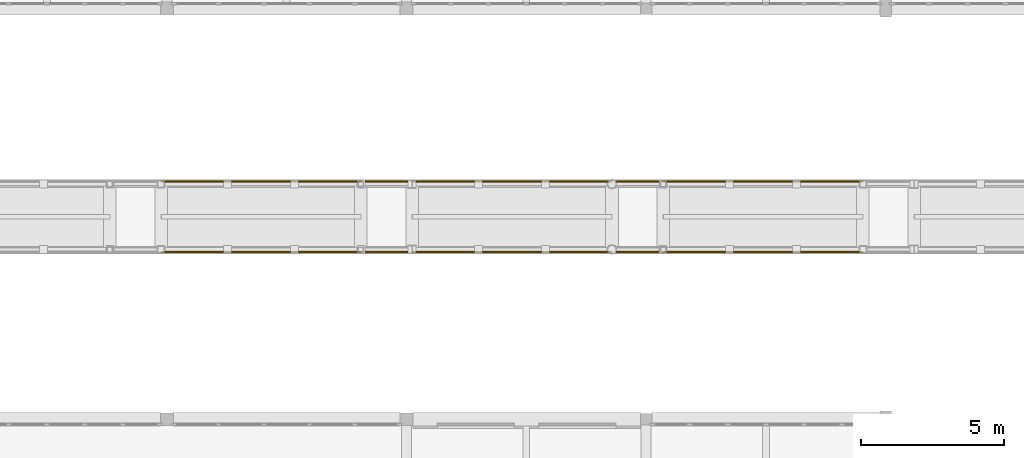
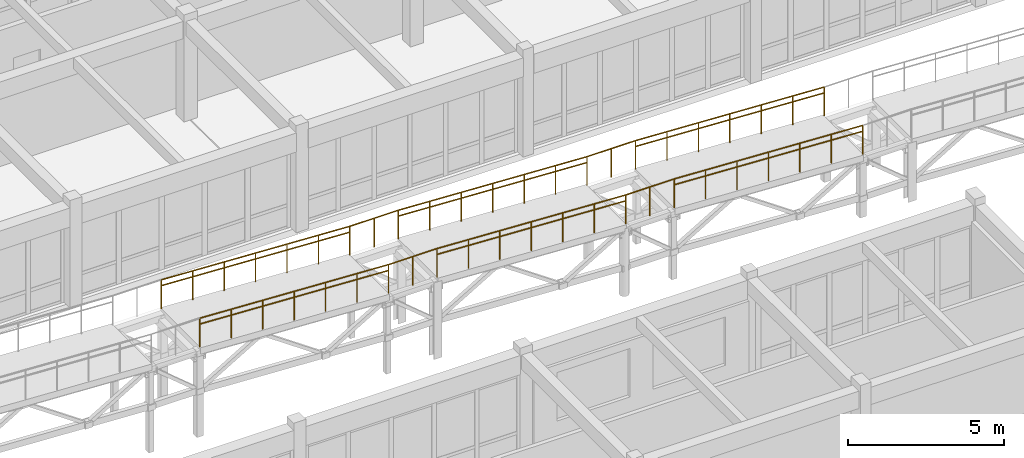
# One storey, part 84 of 89: 16 railings.
"""IFC4 building model written with IfcOpenShell, lengths in metres."""

import ifcopenshell
import ifcopenshell.guid

model = None  # the IFC model being written
_history = None  # IfcOwnerHistory: only IFC2X3 demands one
_inside = {}  # id of a spatial element -> (the spatial element, [elements in it])
_under = {}  # id of a project, library or spatial element -> (it, [spatial elements below it])
_declared = {}  # id of a project -> (the project, [libraries it declares])
_typed = {}  # id of a type object -> (the type object, [elements of that type])
_made_of = {}  # id of a material, layer set ... -> (it, [elements and type objects made of it])


def new_model(schema):
    """Start an empty IFC model of exactly this schema.

    Asked for "IFC4X3", IfcOpenShell would pick the latest addendum, in which some entities
    have other attributes; the version numbers below select the first issue.
    IFC2X3 requires an IfcOwnerHistory on every rooted entity: one is made here for all.
    """
    global model, _history
    if schema == "IFC4X3":
        model = ifcopenshell.file(schema_version=(4, 3, 0, 0))
    else:
        model = ifcopenshell.file(schema=schema)
    _inside.clear()
    _under.clear()
    _declared.clear()
    _typed.clear()
    _made_of.clear()
    _history = None
    if model.schema == "IFC2X3":
        org = make("IfcOrganization", Name="unknown")
        user = make(
            "IfcPersonAndOrganization",
            ThePerson=make("IfcPerson", FamilyName="unknown"),
            TheOrganization=org,
        )
        app = make(
            "IfcApplication",
            ApplicationDeveloper=org,
            Version="unknown",
            ApplicationFullName="unknown",
            ApplicationIdentifier="unknown",
        )
        _history = make(
            "IfcOwnerHistory",
            OwningUser=user,
            OwningApplication=app,
            ChangeAction="ADDED",
            CreationDate=0,
        )
    return model


def make(cls, **values):
    """One entity of the class cls with the attributes given. An attribute that is None is left unset."""
    return model.create_entity(
        cls, **{name: value for name, value in values.items() if value is not None}
    )


def rooted(cls, **values):
    """An entity with a GlobalId (a new one), such as an element, a storey or a relation."""
    return make(cls, GlobalId=ifcopenshell.guid.new(), OwnerHistory=_history, **values)


def si_unit(unit_type, name, prefix=None):
    """IfcSIUnit, for example si_unit("LENGTHUNIT", "METRE", prefix="MILLI")."""
    return make("IfcSIUnit", UnitType=unit_type, Prefix=prefix, Name=name)


def assignment(units):
    """IfcUnitAssignment: the units of a project."""
    return None if units is None else make("IfcUnitAssignment", Units=units)


def point(xyz):
    """IfcCartesianPoint."""
    return None if xyz is None else make("IfcCartesianPoint", Coordinates=xyz)


def direction(xyz):
    """IfcDirection."""
    return None if xyz is None else make("IfcDirection", DirectionRatios=xyz)


def frame(location, z_axis=None, x_axis=None):
    """IfcAxis2Placement3D, a coordinate frame: its origin and axes. An axis left out is left unset."""
    return make(
        "IfcAxis2Placement3D",
        Location=point(location),
        Axis=direction(z_axis),
        RefDirection=direction(x_axis),
    )


def frame_2d(location, x_axis=None):
    """IfcAxis2Placement2D, a coordinate frame in the plane: its origin and x axis."""
    return make(
        "IfcAxis2Placement2D", Location=point(location), RefDirection=direction(x_axis)
    )


def origin():
    """The frame at (0, 0, 0) with its axes left unset."""
    return frame((0.0, 0.0, 0.0))


def origin_2d():
    """The frame at (0, 0) in the plane with its x axis left unset."""
    return frame_2d((0.0, 0.0))


def place(relative_to, where):
    """IfcLocalPlacement: puts the frame where relative to a parent placement (None: the world)."""
    return make(
        "IfcLocalPlacement", PlacementRelTo=relative_to, RelativePlacement=where
    )


def context(
    kind, dimensions, precision=None, world=None, true_north=None, identifier=None
):
    """IfcGeometricRepresentationContext, for example the 3D "Model" context."""
    return make(
        "IfcGeometricRepresentationContext",
        ContextIdentifier=identifier,
        ContextType=kind,
        CoordinateSpaceDimension=dimensions,
        Precision=precision,
        WorldCoordinateSystem=world,
        TrueNorth=true_north,
    )


def subcontext(parent, identifier, kind, view, scale=None):
    """IfcGeometricRepresentationSubContext, for example "Body" below "Model"."""
    return make(
        "IfcGeometricRepresentationSubContext",
        ContextIdentifier=identifier,
        ContextType=kind,
        ParentContext=parent,
        TargetScale=scale,
        TargetView=view,
    )


def project(units=None, contexts=None):
    """IfcProject with its units and contexts."""
    return rooted(
        "IfcProject",
        Name="project",
        RepresentationContexts=contexts,
        UnitsInContext=assignment(units),
    )


def spatial(cls, under=None, at=None, **own):
    """A site, building, storey or space (cls), placed at a placement, below another one or the project."""
    s = rooted(cls, ObjectPlacement=at, **own)
    if under is not None:
        _under.setdefault(under.id(), (under, []))[1].append(s)
    return s


def profile(cls, at=None, kind="AREA", **sizes):
    """A parametric profile (cls). Its sizes go by their IFC names, for example OverallWidth=200.0."""
    return make(cls, ProfileType=kind, Position=at, **sizes)


def circle(**sizes):
    """IfcCircleProfileDef."""
    return profile("IfcCircleProfileDef", **sizes)


def extrude(swept, where, along, depth):
    """IfcExtrudedAreaSolid: the profile swept, set in the frame where, extruded along a direction by depth."""
    return make(
        "IfcExtrudedAreaSolid",
        SweptArea=swept,
        Position=where,
        ExtrudedDirection=direction(along),
        Depth=depth,
    )


def shape(context_of_items, identifier, shape_type, items):
    """IfcShapeRepresentation: the items that make up one representation, for example the "Body"."""
    return make(
        "IfcShapeRepresentation",
        ContextOfItems=context_of_items,
        RepresentationIdentifier=identifier,
        RepresentationType=shape_type,
        Items=items,
    )


def material(Name=None, Category=None):
    """IfcMaterial."""
    return make("IfcMaterial", Name=Name, Category=Category)


def layer(
    of_material, thickness, ventilated=None, Name=None, Category=None, Priority=None
):
    """IfcMaterialLayer: one layer of a wall or slab, of a material (None: an air gap)."""
    return make(
        "IfcMaterialLayer",
        Material=of_material,
        LayerThickness=thickness,
        IsVentilated=ventilated,
        Name=Name,
        Category=Category,
        Priority=Priority,
    )


def layer_set(layers, Name=None):
    """IfcMaterialLayerSet."""
    return make("IfcMaterialLayerSet", MaterialLayers=layers, LayerSetName=Name)


def made_of(thing, what):
    """Note that an element or type object is made of a material, layer set ...; save() writes the relation."""
    if what is not None:
        _made_of.setdefault(what.id(), (what, []))[1].append(thing)
    return thing


def type_object(cls, material=None, **own):
    """A type object (cls), such as IfcWallType, which elements share."""
    return made_of(rooted(cls, **own), material)


def element(
    cls,
    number,
    at=None,
    inside=None,
    cuts=None,
    type_object=None,
    material=None,
    context=None,
    identifier="Body",
    shape_type=None,
    held_by="IfcProductDefinitionShape",
    body=None,
    shapes=None,
    **own,
):
    """One element of the class cls, such as IfcWall. Its Tag is "e" and its number.

    at: its placement. inside: the storey or other place that contains it. cuts: it is an
    opening in that element (IfcRelVoidsElement). A single representation is given by context,
    identifier, shape_type and body (its items); several are given by shapes. held_by: the class
    of the entity that holds the representations. save() writes the other relations.
    """
    e = rooted(cls, Tag="e%d" % number, ObjectPlacement=at, **own)
    if body is not None:
        shapes = [shape(context, identifier, shape_type, body)]
    if shapes is not None:
        e.Representation = make(held_by, Representations=shapes)
    if inside is not None:
        _inside.setdefault(inside.id(), (inside, []))[1].append(e)
    if cuts is not None:
        rooted(
            "IfcRelVoidsElement", RelatingBuildingElement=cuts, RelatedOpeningElement=e
        )
    if type_object is not None:
        _typed.setdefault(type_object.id(), (type_object, []))[1].append(e)
    return made_of(e, material)


def aggregate(whole, parts):
    """IfcRelAggregates: a whole, such as a stair, and the parts it consists of."""
    return rooted("IfcRelAggregates", RelatingObject=whole, RelatedObjects=parts)


def save(model, path):
    """Write the relations noted so far, then the file.

    IfcRelAggregates (storeys below a building ...), IfcRelContainedInSpatialStructure (elements
    in a storey), IfcRelDefinesByType, IfcRelAssociatesMaterial and IfcRelDeclares: one each for
    every whole, place, type object, material and project.
    """
    for whole, parts in _under.values():
        aggregate(whole, parts)
    for where, things in _inside.values():
        rooted(
            "IfcRelContainedInSpatialStructure",
            RelatedElements=things,
            RelatingStructure=where,
        )
    for kind, things in _typed.values():
        rooted("IfcRelDefinesByType", RelatedObjects=things, RelatingType=kind)
    for what, things in _made_of.values():
        rooted("IfcRelAssociatesMaterial", RelatedObjects=things, RelatingMaterial=what)
    for by, libraries in _declared.values():
        rooted("IfcRelDeclares", RelatingContext=by, RelatedDefinitions=libraries)
    model.write(path)


model = new_model("IFC4")

# Units and contexts
model_context = context("Model", 3, precision=1e-05, world=origin(), true_north=direction((0.0, 1.0)))
body_context = subcontext(model_context, "Body", "Model", "MODEL_VIEW")
ifc_project = project(units=[si_unit("LENGTHUNIT", "METRE"), si_unit("AREAUNIT", "SQUARE_METRE"), si_unit("VOLUMEUNIT", "CUBIC_METRE"), si_unit("PLANEANGLEUNIT", "RADIAN"), si_unit("MASSUNIT", "GRAM", prefix="KILO")], contexts=[model_context])

# Site, building, storey
site_placement = place(None, origin())
site = spatial("IfcSite", under=ifc_project, at=site_placement, CompositionType="ELEMENT")
building_placement = place(site_placement, origin())
building = spatial("IfcBuilding", under=site, at=building_placement, Name="Malvenik Polytechnic", CompositionType="ELEMENT")
storey_placement = place(building_placement, frame((0.0, 0.0, 13.5)))
storey = spatial("IfcBuildingStorey", under=building, at=storey_placement, Name="L03", CompositionType="ELEMENT", Elevation=13.5)

# Railings
ifc_material_1 = material(Name="Galvanised powder-coated steel and laminated glass guard 1150mm", Category="steel")
ifc_layer_1 = layer(ifc_material_1, 0.070068359375)
ifc_layer_set_1 = layer_set([ifc_layer_1], Name="Galvanised powder-coated steel and laminated glass guard 1150mm")
railing_type_1 = type_object("IfcRailingType", Name="ARC-RL-BAL-1150", PredefinedType="BALUSTRADE", material=ifc_layer_set_1)
for number, where, name in (
    (1, (59.39990234375, 70.659912109375, 2.800048828125), "Ramp Balustrade RB-02 #8S"),
    (2, (59.39990234375, 73.139892578125, 2.800048828125), "Ramp Balustrade RB-02 #8N"),
):
    element("IfcRailing", number, at=place(storey_placement, frame(where)), inside=storey, type_object=railing_type_1, Name=name, PredefinedType="BALUSTRADE", context=body_context, shape_type="SweptSolid", body=[
        extrude(circle(Radius=0.02392578125, at=origin_2d()), frame((0.0, 0.0, 1.1259765625), z_axis=(0.998751643845, 0.0, -0.049951515669), x_axis=(0.0, 1.0, 0.0)), (0.0, 0.0, 1.0), 7.0087890625),
        extrude(circle(Radius=0.02099609375, at=origin_2d()), origin(), (0.0, 0.0, 1.0), 1.101806640625),
        extrude(circle(Radius=0.02099609375, at=origin_2d()), frame((1.166748046875, 0.0, -0.058349609375)), (0.0, 0.0, 1.0), 1.101806640625),
        extrude(circle(Radius=0.02099609375, at=origin_2d()), frame((2.333251953125, 0.0, -0.11669921875)), (0.0, 0.0, 1.0), 1.101806640625),
        extrude(circle(Radius=0.02099609375, at=origin_2d()), frame((3.5, 0.0, -0.175048828125)), (0.0, 0.0, 1.0), 1.101806640625),
        extrude(circle(Radius=0.02099609375, at=origin_2d()), frame((4.666748046875, 0.0, -0.2333984375)), (0.0, 0.0, 1.0), 1.101806640625),
        extrude(circle(Radius=0.02099609375, at=origin_2d()), frame((5.833251953125, 0.0, -0.291748046875)), (0.0, 0.0, 1.0), 1.101806640625),
        extrude(circle(Radius=0.02099609375, at=origin_2d()), frame((7.0, 0.0, -0.35009765625)), (0.0, 0.0, 1.0), 1.101806640625),
    ])
for number, where, name in (
    (3, (57.60009765625, 70.659912109375, 2.800048828125), "Ramp Landing Balustrade RB-02 #8S"),
    (4, (57.60009765625, 73.139892578125, 2.800048828125), "Ramp Landing Balustrade RB-02 #8N"),
):
    element("IfcRailing", number, at=place(storey_placement, frame(where)), inside=storey, type_object=railing_type_1, Name=name, PredefinedType="BALUSTRADE", context=body_context, shape_type="SweptSolid", body=[
        extrude(circle(Radius=0.02392578125, at=origin_2d()), frame((0.0, 0.0, 1.1259765625), z_axis=(1.0, 0.0, 0.0), x_axis=(0.0, 1.0, 0.0)), (0.0, 0.0, 1.0), 1.7998046875),
        extrude(circle(Radius=0.02099609375, at=origin_2d()), origin(), (0.0, 0.0, 1.0), 1.101806640625),
        extrude(circle(Radius=0.02099609375, at=origin_2d()), frame((0.89990234375, 0.0, 0.0)), (0.0, 0.0, 1.0), 1.101806640625),
        extrude(circle(Radius=0.02099609375, at=origin_2d()), frame((1.7998046875, 0.0, 0.0)), (0.0, 0.0, 1.0), 1.101806640625),
    ])
for number, where, name in (
    (5, (50.60009765625, 70.659912109375, 3.14990234375), "Ramp Balustrade RB-02 #9S"),
    (6, (50.60009765625, 73.139892578125, 3.14990234375), "Ramp Balustrade RB-02 #9N"),
):
    element("IfcRailing", number, at=place(storey_placement, frame(where)), inside=storey, type_object=railing_type_1, Name=name, PredefinedType="BALUSTRADE", context=body_context, shape_type="SweptSolid", body=[
        extrude(circle(Radius=0.02392578125, at=origin_2d()), frame((0.0, 0.0, 1.1259765625), z_axis=(0.998753381067, 0.0, -0.049916768801), x_axis=(0.0, 1.0, 0.0)), (0.0, 0.0, 1.0), 7.0087890625),
        extrude(circle(Radius=0.02099609375, at=origin_2d()), origin(), (0.0, 0.0, 1.0), 1.101806640625),
        extrude(circle(Radius=0.02099609375, at=origin_2d()), frame((1.166748046875, 0.0, -0.058349609375)), (0.0, 0.0, 1.0), 1.101806640625),
        extrude(circle(Radius=0.02099609375, at=origin_2d()), frame((2.333251953125, 0.0, -0.11669921875)), (0.0, 0.0, 1.0), 1.101806640625),
        extrude(circle(Radius=0.02099609375, at=origin_2d()), frame((3.5, 0.0, -0.1748046875)), (0.0, 0.0, 1.0), 1.101806640625),
        extrude(circle(Radius=0.02099609375, at=origin_2d()), frame((4.666748046875, 0.0, -0.233154296875)), (0.0, 0.0, 1.0), 1.101806640625),
        extrude(circle(Radius=0.02099609375, at=origin_2d()), frame((5.833251953125, 0.0, -0.29150390625)), (0.0, 0.0, 1.0), 1.101806640625),
        extrude(circle(Radius=0.02099609375, at=origin_2d()), frame((7.0, 0.0, -0.349853515625)), (0.0, 0.0, 1.0), 1.101806640625),
    ])
for number, where, name in (
    (7, (48.800048828125, 70.659912109375, 3.14990234375), "Ramp Landing Balustrade RB-02 #9S"),
    (8, (48.800048828125, 73.139892578125, 3.14990234375), "Ramp Landing Balustrade RB-02 #9N"),
):
    element("IfcRailing", number, at=place(storey_placement, frame(where)), inside=storey, type_object=railing_type_1, Name=name, PredefinedType="BALUSTRADE", context=body_context, shape_type="SweptSolid", body=[
        extrude(circle(Radius=0.02392578125, at=origin_2d()), frame((0.0, 0.0, 1.1259765625), z_axis=(1.0, 0.0, 0.0), x_axis=(0.0, 1.0, 0.0)), (0.0, 0.0, 1.0), 1.800048828125),
        extrude(circle(Radius=0.02099609375, at=origin_2d()), origin(), (0.0, 0.0, 1.0), 1.101806640625),
        extrude(circle(Radius=0.02099609375, at=origin_2d()), frame((0.89990234375, 0.0, 0.0)), (0.0, 0.0, 1.0), 1.101806640625),
        extrude(circle(Radius=0.02099609375, at=origin_2d()), frame((1.800048828125, 0.0, 0.0)), (0.0, 0.0, 1.0), 1.101806640625),
    ])
for number, where, name in (
    (9, (41.800048828125, 70.659912109375, 3.5), "Ramp Balustrade RB-02 #10S"),
    (10, (41.800048828125, 73.139892578125, 3.5), "Ramp Balustrade RB-02 #10N"),
):
    element("IfcRailing", number, at=place(storey_placement, frame(where)), inside=storey, type_object=railing_type_1, Name=name, PredefinedType="BALUSTRADE", context=body_context, shape_type="SweptSolid", body=[
        extrude(circle(Radius=0.02392578125, at=origin_2d()), frame((0.0, 0.0, 1.1259765625), z_axis=(0.998751643845, 0.0, -0.049951515669), x_axis=(0.0, 1.0, 0.0)), (0.0, 0.0, 1.0), 7.0087890625),
        extrude(circle(Radius=0.02099609375, at=origin_2d()), origin(), (0.0, 0.0, 1.0), 1.101806640625),
        extrude(circle(Radius=0.02099609375, at=origin_2d()), frame((1.166748046875, 0.0, -0.058349609375)), (0.0, 0.0, 1.0), 1.101806640625),
        extrude(circle(Radius=0.02099609375, at=origin_2d()), frame((2.333251953125, 0.0, -0.11669921875)), (0.0, 0.0, 1.0), 1.101806640625),
        extrude(circle(Radius=0.02099609375, at=origin_2d()), frame((3.5, 0.0, -0.175048828125)), (0.0, 0.0, 1.0), 1.101806640625),
        extrude(circle(Radius=0.02099609375, at=origin_2d()), frame((4.666748046875, 0.0, -0.2333984375)), (0.0, 0.0, 1.0), 1.101806640625),
        extrude(circle(Radius=0.02099609375, at=origin_2d()), frame((5.833251953125, 0.0, -0.291748046875)), (0.0, 0.0, 1.0), 1.101806640625),
        extrude(circle(Radius=0.02099609375, at=origin_2d()), frame((7.0, 0.0, -0.35009765625)), (0.0, 0.0, 1.0), 1.101806640625),
    ])
ifc_material_2 = material(Name="Brushed stainless steel 1.4301 tubular handrail 50mm", Category="steel")
ifc_layer_2 = layer(ifc_material_2, 0.050048828125)
ifc_layer_set_2 = layer_set([ifc_layer_2], Name="Brushed stainless steel 1.4301 tubular handrail 50mm")
railing_type_2 = type_object("IfcRailingType", Name="ARC-RL-HR-920", PredefinedType="HANDRAIL", material=ifc_layer_set_2)
for number, where, name in (
    (11, (59.39990234375, 70.659912109375, 2.800048828125), "Ramp Handrail RB-02 #8S"),
    (12, (59.39990234375, 73.139892578125, 2.800048828125), "Ramp Handrail RB-02 #8N"),
):
    element("IfcRailing", number, at=place(storey_placement, frame(where)), inside=storey, type_object=railing_type_2, Name=name, PredefinedType="HANDRAIL", context=body_context, shape_type="SweptSolid", body=[
        extrude(circle(Radius=0.02392578125, at=origin_2d()), frame((0.0, 0.0, 0.89599609375), z_axis=(0.998751643845, 0.0, -0.049951515669), x_axis=(0.0, 1.0, 0.0)), (0.0, 0.0, 1.0), 7.0087890625),
        extrude(circle(Radius=0.02099609375, at=origin_2d()), origin(), (0.0, 0.0, 1.0), 0.871826171875),
        extrude(circle(Radius=0.02099609375, at=origin_2d()), frame((1.166748046875, 0.0, -0.058349609375)), (0.0, 0.0, 1.0), 0.871826171875),
        extrude(circle(Radius=0.02099609375, at=origin_2d()), frame((2.333251953125, 0.0, -0.11669921875)), (0.0, 0.0, 1.0), 0.871826171875),
        extrude(circle(Radius=0.02099609375, at=origin_2d()), frame((3.5, 0.0, -0.175048828125)), (0.0, 0.0, 1.0), 0.871826171875),
        extrude(circle(Radius=0.02099609375, at=origin_2d()), frame((4.666748046875, 0.0, -0.2333984375)), (0.0, 0.0, 1.0), 0.871826171875),
        extrude(circle(Radius=0.02099609375, at=origin_2d()), frame((5.833251953125, 0.0, -0.291748046875)), (0.0, 0.0, 1.0), 0.871826171875),
        extrude(circle(Radius=0.02099609375, at=origin_2d()), frame((7.0, 0.0, -0.35009765625)), (0.0, 0.0, 1.0), 0.871826171875),
    ])
for number, where, name in (
    (13, (50.60009765625, 70.659912109375, 3.14990234375), "Ramp Handrail RB-02 #9S"),
    (14, (50.60009765625, 73.139892578125, 3.14990234375), "Ramp Handrail RB-02 #9N"),
):
    element("IfcRailing", number, at=place(storey_placement, frame(where)), inside=storey, type_object=railing_type_2, Name=name, PredefinedType="HANDRAIL", context=body_context, shape_type="SweptSolid", body=[
        extrude(circle(Radius=0.02392578125, at=origin_2d()), frame((0.0, 0.0, 0.89599609375), z_axis=(0.998753381067, 0.0, -0.049916768801), x_axis=(0.0, 1.0, 0.0)), (0.0, 0.0, 1.0), 7.0087890625),
        extrude(circle(Radius=0.02099609375, at=origin_2d()), origin(), (0.0, 0.0, 1.0), 0.871826171875),
        extrude(circle(Radius=0.02099609375, at=origin_2d()), frame((1.166748046875, 0.0, -0.058349609375)), (0.0, 0.0, 1.0), 0.871826171875),
        extrude(circle(Radius=0.02099609375, at=origin_2d()), frame((2.333251953125, 0.0, -0.11669921875)), (0.0, 0.0, 1.0), 0.871826171875),
        extrude(circle(Radius=0.02099609375, at=origin_2d()), frame((3.5, 0.0, -0.1748046875)), (0.0, 0.0, 1.0), 0.871826171875),
        extrude(circle(Radius=0.02099609375, at=origin_2d()), frame((4.666748046875, 0.0, -0.233154296875)), (0.0, 0.0, 1.0), 0.871826171875),
        extrude(circle(Radius=0.02099609375, at=origin_2d()), frame((5.833251953125, 0.0, -0.29150390625)), (0.0, 0.0, 1.0), 0.871826171875),
        extrude(circle(Radius=0.02099609375, at=origin_2d()), frame((7.0, 0.0, -0.349853515625)), (0.0, 0.0, 1.0), 0.871826171875),
    ])
for number, where, name in (
    (15, (41.800048828125, 70.659912109375, 3.5), "Ramp Handrail RB-02 #10S"),
    (16, (41.800048828125, 73.139892578125, 3.5), "Ramp Handrail RB-02 #10N"),
):
    element("IfcRailing", number, at=place(storey_placement, frame(where)), inside=storey, type_object=railing_type_2, Name=name, PredefinedType="HANDRAIL", context=body_context, shape_type="SweptSolid", body=[
        extrude(circle(Radius=0.02392578125, at=origin_2d()), frame((0.0, 0.0, 0.89599609375), z_axis=(0.998751643845, 0.0, -0.049951515669), x_axis=(0.0, 1.0, 0.0)), (0.0, 0.0, 1.0), 7.0087890625),
        extrude(circle(Radius=0.02099609375, at=origin_2d()), origin(), (0.0, 0.0, 1.0), 0.871826171875),
        extrude(circle(Radius=0.02099609375, at=origin_2d()), frame((1.166748046875, 0.0, -0.058349609375)), (0.0, 0.0, 1.0), 0.871826171875),
        extrude(circle(Radius=0.02099609375, at=origin_2d()), frame((2.333251953125, 0.0, -0.11669921875)), (0.0, 0.0, 1.0), 0.871826171875),
        extrude(circle(Radius=0.02099609375, at=origin_2d()), frame((3.5, 0.0, -0.175048828125)), (0.0, 0.0, 1.0), 0.871826171875),
        extrude(circle(Radius=0.02099609375, at=origin_2d()), frame((4.666748046875, 0.0, -0.2333984375)), (0.0, 0.0, 1.0), 0.871826171875),
        extrude(circle(Radius=0.02099609375, at=origin_2d()), frame((5.833251953125, 0.0, -0.291748046875)), (0.0, 0.0, 1.0), 0.871826171875),
        extrude(circle(Radius=0.02099609375, at=origin_2d()), frame((7.0, 0.0, -0.35009765625)), (0.0, 0.0, 1.0), 0.871826171875),
    ])

save(model, "model.ifc")
